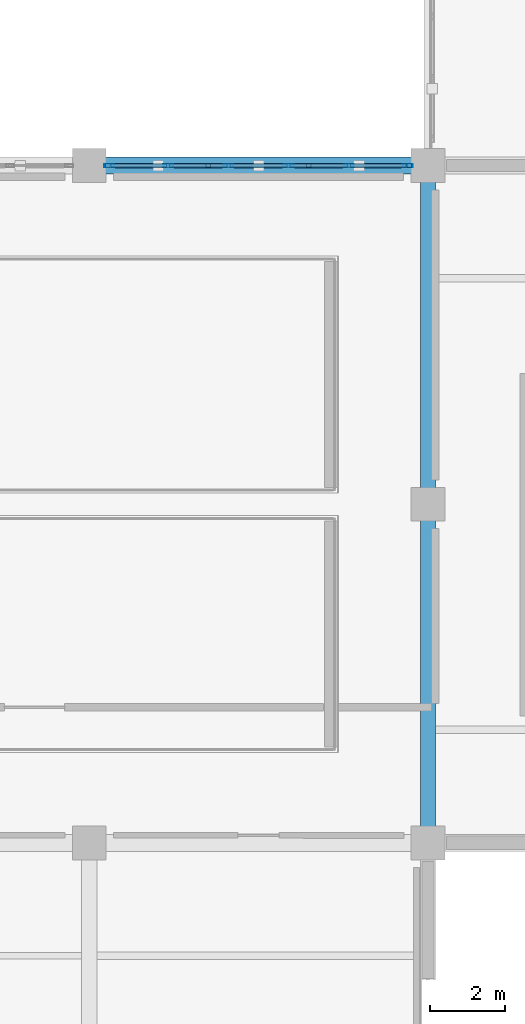
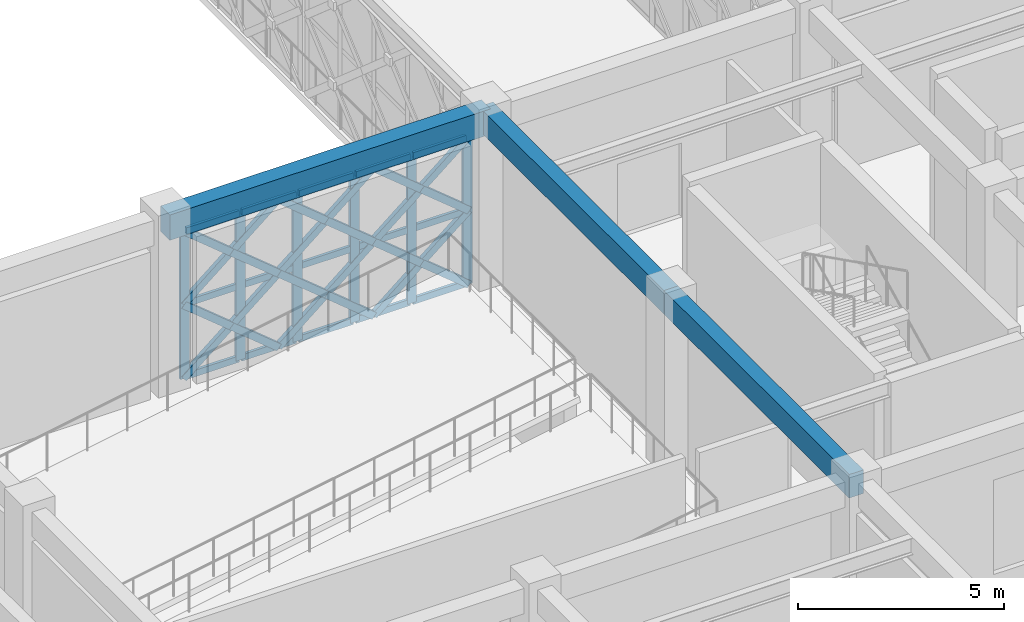
# One storey, part 99 of 166: 39 members, 3 beams, 1 element without a shape of its own.
"""IFC4 building model written with IfcOpenShell, lengths in metres."""

from ifc_helpers import new_model, si_unit, direction, frame, origin, origin_2d, place, context, subcontext, project, spatial, rectangle, hollow_rectangle, extrude, material, material_profile, profile_set, type_object, element, aggregate, save


model = new_model("IFC4")

# Units and contexts
model_context = context("Model", 3, precision=1e-05, world=origin(), true_north=direction((0.0, 1.0)))
body_context = subcontext(model_context, "Body", "Model", "MODEL_VIEW")
ifc_project = project(units=[si_unit("LENGTHUNIT", "METRE"), si_unit("AREAUNIT", "SQUARE_METRE"), si_unit("VOLUMEUNIT", "CUBIC_METRE"), si_unit("PLANEANGLEUNIT", "RADIAN"), si_unit("MASSUNIT", "GRAM", prefix="KILO")], contexts=[model_context])

# Site, building, storey
site_placement = place(None, origin())
site = spatial("IfcSite", under=ifc_project, at=site_placement, CompositionType="ELEMENT")
building_placement = place(site_placement, origin())
building = spatial("IfcBuilding", under=site, at=building_placement, Name="Haizhuo Lancet Aquarium", CompositionType="ELEMENT")
storey_placement = place(building_placement, frame((0.0, 0.0, 5.39990234375)))
storey = spatial("IfcBuildingStorey", under=building, at=storey_placement, Name="L01", CompositionType="ELEMENT", Elevation=5.39990234375)

# Beams
ifc_material_1 = material(Name="Concrete C40/50", Category="concrete")
ifc_material_profile_1 = material_profile(ifc_material_1, rectangle(XDim=0.39990234375, YDim=0.699951171875, at=origin_2d()), Name="RC-BM 400x700")
ifc_profile_set_1 = profile_set([ifc_material_profile_1], Name="Concrete C40/50")
beam_type_1 = type_object("IfcBeamType", Name="BM-RC-400x700", PredefinedType="BEAM", material=ifc_profile_set_1)
for number, where, z_axis, x_axis, name in (
    (1, (54.0, -27.0, 4.7900390625), (0.0, 1.0, 0.0), (-1.0, 0.0, 0.0), "L01 V3 primary girder BM-L01-V3-018"),
    (2, (54.0, -18.0, 4.7900390625), (0.0, 1.0, 0.0), (-1.0, 0.0, 0.0), "L01 V3 primary girder BM-L01-V3-020"),
):
    element("IfcBeam", number, at=place(storey_placement, frame(where, z_axis=z_axis, x_axis=x_axis)), inside=storey, type_object=beam_type_1, Name=name, PredefinedType="BEAM", context=body_context, shape_type="SweptSolid", body=[
        extrude(rectangle(XDim=0.39990234375, YDim=0.699951171875, at=origin_2d()), origin(), (0.0, 0.0, 1.0), 9.0),
    ])
ifc_material_profile_2 = material_profile(ifc_material_1, rectangle(XDim=0.449951171875, YDim=0.75, at=origin_2d()), Name="RC-BM 450x750")
ifc_profile_set_2 = profile_set([ifc_material_profile_2], Name="Concrete C40/50")
beam_type_2 = type_object("IfcBeamType", Name="BM-RC-450x750", PredefinedType="BEAM", material=ifc_profile_set_2)
beam_placement = place(storey_placement, frame((45.0, -9.0, 4.76513671875), z_axis=(1.0, 0.0, 0.0), x_axis=(0.0, 1.0, 0.0)))
element("IfcBeam", 3, at=beam_placement, inside=storey, type_object=beam_type_2, Name="L01 V3 primary girder BM-L01-V3-016", PredefinedType="BEAM", context=body_context, shape_type="SweptSolid", body=[
    extrude(rectangle(XDim=0.449951171875, YDim=0.75, at=origin_2d()), origin(), (0.0, 0.0, 1.0), 9.0),
])

# Curtain wall, members
ifc_material_2 = material(Name="Aluminium 6063-T6", Category="aluminium")
curtain_wall_type = type_object("IfcCurtainWallType", Name="CWO-8010x4390", PredefinedType="NOTDEFINED", material=ifc_material_2)
curtain_wall_placement = place(storey_placement, origin())
curtain_wall = element("IfcCurtainWall", 4, at=curtain_wall_placement, inside=storey, type_object=curtain_wall_type, Name="L01 curtain wall CW-V3-L01-039", PredefinedType="NOTDEFINED")
ifc_material_profile_3 = material_profile(ifc_material_2, hollow_rectangle(XDim=0.080078125, YDim=0.260009765625, WallThickness=0.0048828125, at=origin_2d()), Name="ALU-M 80x260x5")
ifc_profile_set_3 = profile_set([ifc_material_profile_3], Name="Aluminium 6063-T6")
member_type_1 = type_object("IfcMemberType", Name="CW-MUL-3", PredefinedType="MULLION", material=ifc_profile_set_3)
member_1_placement = place(storey_placement, frame((45.534912109375, -9.0, 0.0), z_axis=(0.0, 0.0, 1.0), x_axis=(0.0, 1.0, 0.0)))
member_1 = element("IfcMember", 5, at=member_1_placement, type_object=member_type_1, Name="CWO-80x43 mullion 1", PredefinedType="MULLION", context=body_context, shape_type="SweptSolid", body=[
    extrude(hollow_rectangle(XDim=0.080078125, YDim=0.260009765625, WallThickness=0.0048828125, at=origin_2d()), origin(), (0.0, 0.0, 1.0), 4.39013671875),
])
member_2_placement = place(storey_placement, frame((47.096923828125, -9.0, 0.0), z_axis=(0.0, 0.0, 1.0), x_axis=(0.0, 1.0, 0.0)))
member_2 = element("IfcMember", 6, at=member_2_placement, type_object=member_type_1, Name="CWO-80x43 mullion 2", PredefinedType="MULLION", context=body_context, shape_type="SweptSolid", body=[
    extrude(hollow_rectangle(XDim=0.080078125, YDim=0.260009765625, WallThickness=0.0048828125, at=origin_2d()), origin(), (0.0, 0.0, 1.0), 4.39013671875),
])
member_3_placement = place(storey_placement, frame((48.698974609375, -9.0, 0.0), z_axis=(0.0, 0.0, 1.0), x_axis=(0.0, 1.0, 0.0)))
member_3 = element("IfcMember", 7, at=member_3_placement, type_object=member_type_1, Name="CWO-80x43 mullion 3", PredefinedType="MULLION", context=body_context, shape_type="SweptSolid", body=[
    extrude(hollow_rectangle(XDim=0.080078125, YDim=0.260009765625, WallThickness=0.0048828125, at=origin_2d()), origin(), (0.0, 0.0, 1.0), 4.39013671875),
])
member_4_placement = place(storey_placement, frame((50.301025390625, -9.0, 0.0), z_axis=(0.0, 0.0, 1.0), x_axis=(0.0, 1.0, 0.0)))
member_4 = element("IfcMember", 8, at=member_4_placement, type_object=member_type_1, Name="CWO-80x43 mullion 4", PredefinedType="MULLION", context=body_context, shape_type="SweptSolid", body=[
    extrude(hollow_rectangle(XDim=0.080078125, YDim=0.260009765625, WallThickness=0.0048828125, at=origin_2d()), origin(), (0.0, 0.0, 1.0), 4.39013671875),
])
member_5_placement = place(storey_placement, frame((51.903076171875, -9.0, 0.0), z_axis=(0.0, 0.0, 1.0), x_axis=(0.0, 1.0, 0.0)))
member_5 = element("IfcMember", 9, at=member_5_placement, type_object=member_type_1, Name="CWO-80x43 mullion 5", PredefinedType="MULLION", context=body_context, shape_type="SweptSolid", body=[
    extrude(hollow_rectangle(XDim=0.080078125, YDim=0.260009765625, WallThickness=0.0048828125, at=origin_2d()), origin(), (0.0, 0.0, 1.0), 4.39013671875),
])
member_6_placement = place(storey_placement, frame((53.465087890625, -9.0, 0.0), z_axis=(0.0, 0.0, 1.0), x_axis=(0.0, 1.0, 0.0)))
member_6 = element("IfcMember", 10, at=member_6_placement, type_object=member_type_1, Name="CWO-80x43 mullion 6", PredefinedType="MULLION", context=body_context, shape_type="SweptSolid", body=[
    extrude(hollow_rectangle(XDim=0.080078125, YDim=0.260009765625, WallThickness=0.0048828125, at=origin_2d()), origin(), (0.0, 0.0, 1.0), 4.39013671875),
])
ifc_material_profile_4 = material_profile(ifc_material_2, hollow_rectangle(XDim=0.080078125, YDim=0.18994140625, WallThickness=0.0048828125, at=origin_2d()), Name="ALU-T 80x190x5")
ifc_profile_set_4 = profile_set([ifc_material_profile_4], Name="Aluminium 6063-T6")
member_type_2 = type_object("IfcMemberType", Name="CW-TRN-3", PredefinedType="NOTDEFINED", material=ifc_profile_set_4)
member_7_placement = place(storey_placement, frame((45.574951171875, -9.0, 0.0400390625), z_axis=(1.0, 0.0, 0.0), x_axis=(0.0, 1.0, 0.0)))
member_7 = element("IfcMember", 11, at=member_7_placement, type_object=member_type_2, Name="CWO-80x43 transom 1.1", ObjectType="TRANSOM", PredefinedType="USERDEFINED", context=body_context, shape_type="SweptSolid", body=[
    extrude(hollow_rectangle(XDim=0.080078125, YDim=0.18994140625, WallThickness=0.0048828125, at=origin_2d()), origin(), (0.0, 0.0, 1.0), 1.48193359375),
])
member_8_placement = place(storey_placement, frame((45.574951171875, -9.0, 2.195068359375), z_axis=(1.0, 0.0, 0.0), x_axis=(0.0, 1.0, 0.0)))
member_8 = element("IfcMember", 12, at=member_8_placement, type_object=member_type_2, Name="CWO-80x43 transom 1.2", ObjectType="TRANSOM", PredefinedType="USERDEFINED", context=body_context, shape_type="SweptSolid", body=[
    extrude(hollow_rectangle(XDim=0.080078125, YDim=0.18994140625, WallThickness=0.0048828125, at=origin_2d()), origin(), (0.0, 0.0, 1.0), 1.48193359375),
])
member_9_placement = place(storey_placement, frame((45.574951171875, -9.0, 4.35009765625), z_axis=(1.0, 0.0, 0.0), x_axis=(0.0, 1.0, 0.0)))
member_9 = element("IfcMember", 13, at=member_9_placement, type_object=member_type_2, Name="CWO-80x43 transom 1.3", ObjectType="TRANSOM", PredefinedType="USERDEFINED", context=body_context, shape_type="SweptSolid", body=[
    extrude(hollow_rectangle(XDim=0.080078125, YDim=0.18994140625, WallThickness=0.0048828125, at=origin_2d()), origin(), (0.0, 0.0, 1.0), 1.48193359375),
])
member_10_placement = place(storey_placement, frame((47.136962890625, -9.0, 0.0400390625), z_axis=(1.0, 0.0, 0.0), x_axis=(0.0, 1.0, 0.0)))
member_10 = element("IfcMember", 14, at=member_10_placement, type_object=member_type_2, Name="CWO-80x43 transom 2.1", ObjectType="TRANSOM", PredefinedType="USERDEFINED", context=body_context, shape_type="SweptSolid", body=[
    extrude(hollow_rectangle(XDim=0.080078125, YDim=0.18994140625, WallThickness=0.0048828125, at=origin_2d()), origin(), (0.0, 0.0, 1.0), 1.52197265625),
])
member_11_placement = place(storey_placement, frame((47.136962890625, -9.0, 2.195068359375), z_axis=(1.0, 0.0, 0.0), x_axis=(0.0, 1.0, 0.0)))
member_11 = element("IfcMember", 15, at=member_11_placement, type_object=member_type_2, Name="CWO-80x43 transom 2.2", ObjectType="TRANSOM", PredefinedType="USERDEFINED", context=body_context, shape_type="SweptSolid", body=[
    extrude(hollow_rectangle(XDim=0.080078125, YDim=0.18994140625, WallThickness=0.0048828125, at=origin_2d()), origin(), (0.0, 0.0, 1.0), 1.52197265625),
])
member_12_placement = place(storey_placement, frame((47.136962890625, -9.0, 4.35009765625), z_axis=(1.0, 0.0, 0.0), x_axis=(0.0, 1.0, 0.0)))
member_12 = element("IfcMember", 16, at=member_12_placement, type_object=member_type_2, Name="CWO-80x43 transom 2.3", ObjectType="TRANSOM", PredefinedType="USERDEFINED", context=body_context, shape_type="SweptSolid", body=[
    extrude(hollow_rectangle(XDim=0.080078125, YDim=0.18994140625, WallThickness=0.0048828125, at=origin_2d()), origin(), (0.0, 0.0, 1.0), 1.52197265625),
])
member_13_placement = place(storey_placement, frame((48.739013671875, -9.0, 0.0400390625), z_axis=(1.0, 0.0, 0.0), x_axis=(0.0, 1.0, 0.0)))
member_13 = element("IfcMember", 17, at=member_13_placement, type_object=member_type_2, Name="CWO-80x43 transom 3.1", ObjectType="TRANSOM", PredefinedType="USERDEFINED", context=body_context, shape_type="SweptSolid", body=[
    extrude(hollow_rectangle(XDim=0.080078125, YDim=0.18994140625, WallThickness=0.0048828125, at=origin_2d()), origin(), (0.0, 0.0, 1.0), 1.52197265625),
])
member_14_placement = place(storey_placement, frame((48.739013671875, -9.0, 2.195068359375), z_axis=(1.0, 0.0, 0.0), x_axis=(0.0, 1.0, 0.0)))
member_14 = element("IfcMember", 18, at=member_14_placement, type_object=member_type_2, Name="CWO-80x43 transom 3.2", ObjectType="TRANSOM", PredefinedType="USERDEFINED", context=body_context, shape_type="SweptSolid", body=[
    extrude(hollow_rectangle(XDim=0.080078125, YDim=0.18994140625, WallThickness=0.0048828125, at=origin_2d()), origin(), (0.0, 0.0, 1.0), 1.52197265625),
])
member_15_placement = place(storey_placement, frame((48.739013671875, -9.0, 4.35009765625), z_axis=(1.0, 0.0, 0.0), x_axis=(0.0, 1.0, 0.0)))
member_15 = element("IfcMember", 19, at=member_15_placement, type_object=member_type_2, Name="CWO-80x43 transom 3.3", ObjectType="TRANSOM", PredefinedType="USERDEFINED", context=body_context, shape_type="SweptSolid", body=[
    extrude(hollow_rectangle(XDim=0.080078125, YDim=0.18994140625, WallThickness=0.0048828125, at=origin_2d()), origin(), (0.0, 0.0, 1.0), 1.52197265625),
])
member_16_placement = place(storey_placement, frame((50.341064453125, -9.0, 0.0400390625), z_axis=(1.0, 0.0, 0.0), x_axis=(0.0, 1.0, 0.0)))
member_16 = element("IfcMember", 20, at=member_16_placement, type_object=member_type_2, Name="CWO-80x43 transom 4.1", ObjectType="TRANSOM", PredefinedType="USERDEFINED", context=body_context, shape_type="SweptSolid", body=[
    extrude(hollow_rectangle(XDim=0.080078125, YDim=0.18994140625, WallThickness=0.0048828125, at=origin_2d()), origin(), (0.0, 0.0, 1.0), 1.52197265625),
])
member_17_placement = place(storey_placement, frame((50.341064453125, -9.0, 2.195068359375), z_axis=(1.0, 0.0, 0.0), x_axis=(0.0, 1.0, 0.0)))
member_17 = element("IfcMember", 21, at=member_17_placement, type_object=member_type_2, Name="CWO-80x43 transom 4.2", ObjectType="TRANSOM", PredefinedType="USERDEFINED", context=body_context, shape_type="SweptSolid", body=[
    extrude(hollow_rectangle(XDim=0.080078125, YDim=0.18994140625, WallThickness=0.0048828125, at=origin_2d()), origin(), (0.0, 0.0, 1.0), 1.52197265625),
])
member_18_placement = place(storey_placement, frame((50.341064453125, -9.0, 4.35009765625), z_axis=(1.0, 0.0, 0.0), x_axis=(0.0, 1.0, 0.0)))
member_18 = element("IfcMember", 22, at=member_18_placement, type_object=member_type_2, Name="CWO-80x43 transom 4.3", ObjectType="TRANSOM", PredefinedType="USERDEFINED", context=body_context, shape_type="SweptSolid", body=[
    extrude(hollow_rectangle(XDim=0.080078125, YDim=0.18994140625, WallThickness=0.0048828125, at=origin_2d()), origin(), (0.0, 0.0, 1.0), 1.52197265625),
])
member_19_placement = place(storey_placement, frame((51.943115234375, -9.0, 0.0400390625), z_axis=(1.0, 0.0, 0.0), x_axis=(0.0, 1.0, 0.0)))
member_19 = element("IfcMember", 23, at=member_19_placement, type_object=member_type_2, Name="CWO-80x43 transom 5.1", ObjectType="TRANSOM", PredefinedType="USERDEFINED", context=body_context, shape_type="SweptSolid", body=[
    extrude(hollow_rectangle(XDim=0.080078125, YDim=0.18994140625, WallThickness=0.0048828125, at=origin_2d()), origin(), (0.0, 0.0, 1.0), 1.48193359375),
])
member_20_placement = place(storey_placement, frame((51.943115234375, -9.0, 2.195068359375), z_axis=(1.0, 0.0, 0.0), x_axis=(0.0, 1.0, 0.0)))
member_20 = element("IfcMember", 24, at=member_20_placement, type_object=member_type_2, Name="CWO-80x43 transom 5.2", ObjectType="TRANSOM", PredefinedType="USERDEFINED", context=body_context, shape_type="SweptSolid", body=[
    extrude(hollow_rectangle(XDim=0.080078125, YDim=0.18994140625, WallThickness=0.0048828125, at=origin_2d()), origin(), (0.0, 0.0, 1.0), 1.48193359375),
])
member_21_placement = place(storey_placement, frame((51.943115234375, -9.0, 4.35009765625), z_axis=(1.0, 0.0, 0.0), x_axis=(0.0, 1.0, 0.0)))
member_21 = element("IfcMember", 25, at=member_21_placement, type_object=member_type_2, Name="CWO-80x43 transom 5.3", ObjectType="TRANSOM", PredefinedType="USERDEFINED", context=body_context, shape_type="SweptSolid", body=[
    extrude(hollow_rectangle(XDim=0.080078125, YDim=0.18994140625, WallThickness=0.0048828125, at=origin_2d()), origin(), (0.0, 0.0, 1.0), 1.48193359375),
])
aggregate(curtain_wall, [member_1, member_2, member_3, member_4, member_5, member_6, member_7, member_8, member_9, member_10, member_11, member_12, member_13, member_14, member_15, member_16, member_17, member_18, member_19, member_20, member_21])

# Members
ifc_material_3 = material(Name="Steel S355", Category="steel")
ifc_material_profile_5 = material_profile(ifc_material_3, hollow_rectangle(XDim=0.1201171875, YDim=0.199951171875, WallThickness=0.008056640625, at=origin_2d()), Name="RHS 120x200x8")
ifc_profile_set_5 = profile_set([ifc_material_profile_5], Name="Steel S355")
member_type_3 = type_object("IfcMemberType", Name="MEM-LB-RHS120x200", PredefinedType="BRACE", material=ifc_profile_set_5)
member_22_placement = place(storey_placement, frame((45.4951171875, -9.0, 0.0), z_axis=(0.772453976084, 0.0, 0.635070747895), x_axis=(0.0, 1.0, 0.0)))
element("IfcMember", 26, at=member_22_placement, inside=storey, type_object=member_type_3, Name="Gothic lancet continuous diagonal brace CW-V3-L01-039 1A", PredefinedType="BRACE", context=body_context, shape_type="SweptSolid", body=[
    extrude(hollow_rectangle(XDim=0.1201171875, YDim=0.199951171875, WallThickness=0.008056640625, at=origin_2d()), origin(), (0.0, 0.0, 1.0), 3.456298828125),
])
member_23_placement = place(storey_placement, frame((48.1650390625, -9.0, 0.0), z_axis=(-0.772280733977, 0.0, 0.635281408454), x_axis=(0.0, -1.0, 0.0)))
element("IfcMember", 27, at=member_23_placement, inside=storey, type_object=member_type_3, Name="Gothic lancet split diagonal brace CW-V3-L01-039 1B1", PredefinedType="BRACE", context=body_context, shape_type="SweptSolid", body=[
    extrude(hollow_rectangle(XDim=0.1201171875, YDim=0.199951171875, WallThickness=0.008056640625, at=origin_2d()), origin(), (0.0, 0.0, 1.0), 1.728515625),
])
member_24_placement = place(storey_placement, frame((46.830078125, -9.0, 1.09814453125), z_axis=(-0.772627238419, 0.0, 0.634859945541), x_axis=(0.0, -1.0, 0.0)))
element("IfcMember", 28, at=member_24_placement, inside=storey, type_object=member_type_3, Name="Gothic lancet split diagonal brace CW-V3-L01-039 1B2", PredefinedType="BRACE", context=body_context, shape_type="SweptSolid", body=[
    extrude(hollow_rectangle(XDim=0.1201171875, YDim=0.199951171875, WallThickness=0.008056640625, at=origin_2d()), origin(), (0.0, 0.0, 1.0), 1.727783203125),
])
member_25_placement = place(storey_placement, frame((45.4951171875, -9.0, 2.195068359375), z_axis=(0.772453976084, 0.0, 0.635070747895), x_axis=(0.0, 1.0, 0.0)))
element("IfcMember", 29, at=member_25_placement, inside=storey, type_object=member_type_3, Name="Gothic lancet continuous diagonal brace CW-V3-L01-039 2A", PredefinedType="BRACE", context=body_context, shape_type="SweptSolid", body=[
    extrude(hollow_rectangle(XDim=0.1201171875, YDim=0.199951171875, WallThickness=0.008056640625, at=origin_2d()), origin(), (0.0, 0.0, 1.0), 3.456298828125),
])
member_26_placement = place(storey_placement, frame((48.1650390625, -9.0, 2.195068359375), z_axis=(-0.772627238419, 0.0, 0.634859945541), x_axis=(0.0, -1.0, 0.0)))
element("IfcMember", 30, at=member_26_placement, inside=storey, type_object=member_type_3, Name="Gothic lancet split diagonal brace CW-V3-L01-039 2B1", PredefinedType="BRACE", context=body_context, shape_type="SweptSolid", body=[
    extrude(hollow_rectangle(XDim=0.1201171875, YDim=0.199951171875, WallThickness=0.008056640625, at=origin_2d()), origin(), (0.0, 0.0, 1.0), 1.727783203125),
])
member_27_placement = place(storey_placement, frame((46.830078125, -9.0, 3.2919921875), z_axis=(-0.772280733977, 0.0, 0.635281408454), x_axis=(0.0, -1.0, 0.0)))
element("IfcMember", 31, at=member_27_placement, inside=storey, type_object=member_type_3, Name="Gothic lancet split diagonal brace CW-V3-L01-039 2B2", PredefinedType="BRACE", context=body_context, shape_type="SweptSolid", body=[
    extrude(hollow_rectangle(XDim=0.1201171875, YDim=0.199951171875, WallThickness=0.008056640625, at=origin_2d()), origin(), (0.0, 0.0, 1.0), 1.728515625),
])
member_28_placement = place(storey_placement, frame((48.1650390625, -9.0, 0.0), z_axis=(0.772453976084, 0.0, 0.635070747895), x_axis=(0.0, 1.0, 0.0)))
element("IfcMember", 32, at=member_28_placement, inside=storey, type_object=member_type_3, Name="Gothic lancet continuous diagonal brace CW-V3-L01-039 3A", PredefinedType="BRACE", context=body_context, shape_type="SweptSolid", body=[
    extrude(hollow_rectangle(XDim=0.1201171875, YDim=0.199951171875, WallThickness=0.008056640625, at=origin_2d()), origin(), (0.0, 0.0, 1.0), 3.456298828125),
])
member_29_placement = place(storey_placement, frame((50.8349609375, -9.0, 0.0), z_axis=(-0.772280733977, 0.0, 0.635281408454), x_axis=(0.0, -1.0, 0.0)))
element("IfcMember", 33, at=member_29_placement, inside=storey, type_object=member_type_3, Name="Gothic lancet split diagonal brace CW-V3-L01-039 3B1", PredefinedType="BRACE", context=body_context, shape_type="SweptSolid", body=[
    extrude(hollow_rectangle(XDim=0.1201171875, YDim=0.199951171875, WallThickness=0.008056640625, at=origin_2d()), origin(), (0.0, 0.0, 1.0), 1.728515625),
])
member_30_placement = place(storey_placement, frame((49.5, -9.0, 1.09814453125), z_axis=(-0.772627238419, 0.0, 0.634859945541), x_axis=(0.0, -1.0, 0.0)))
element("IfcMember", 34, at=member_30_placement, inside=storey, type_object=member_type_3, Name="Gothic lancet split diagonal brace CW-V3-L01-039 3B2", PredefinedType="BRACE", context=body_context, shape_type="SweptSolid", body=[
    extrude(hollow_rectangle(XDim=0.1201171875, YDim=0.199951171875, WallThickness=0.008056640625, at=origin_2d()), origin(), (0.0, 0.0, 1.0), 1.727783203125),
])
member_31_placement = place(storey_placement, frame((48.1650390625, -9.0, 2.195068359375), z_axis=(0.772453976084, 0.0, 0.635070747895), x_axis=(0.0, 1.0, 0.0)))
element("IfcMember", 35, at=member_31_placement, inside=storey, type_object=member_type_3, Name="Gothic lancet continuous diagonal brace CW-V3-L01-039 4A", PredefinedType="BRACE", context=body_context, shape_type="SweptSolid", body=[
    extrude(hollow_rectangle(XDim=0.1201171875, YDim=0.199951171875, WallThickness=0.008056640625, at=origin_2d()), origin(), (0.0, 0.0, 1.0), 3.456298828125),
])
member_32_placement = place(storey_placement, frame((50.8349609375, -9.0, 2.195068359375), z_axis=(-0.772627238419, 0.0, 0.634859945541), x_axis=(0.0, -1.0, 0.0)))
element("IfcMember", 36, at=member_32_placement, inside=storey, type_object=member_type_3, Name="Gothic lancet split diagonal brace CW-V3-L01-039 4B1", PredefinedType="BRACE", context=body_context, shape_type="SweptSolid", body=[
    extrude(hollow_rectangle(XDim=0.1201171875, YDim=0.199951171875, WallThickness=0.008056640625, at=origin_2d()), origin(), (0.0, 0.0, 1.0), 1.727783203125),
])
member_33_placement = place(storey_placement, frame((49.5, -9.0, 3.2919921875), z_axis=(-0.772280733977, 0.0, 0.635281408454), x_axis=(0.0, -1.0, 0.0)))
element("IfcMember", 37, at=member_33_placement, inside=storey, type_object=member_type_3, Name="Gothic lancet split diagonal brace CW-V3-L01-039 4B2", PredefinedType="BRACE", context=body_context, shape_type="SweptSolid", body=[
    extrude(hollow_rectangle(XDim=0.1201171875, YDim=0.199951171875, WallThickness=0.008056640625, at=origin_2d()), origin(), (0.0, 0.0, 1.0), 1.728515625),
])
member_34_placement = place(storey_placement, frame((50.8349609375, -9.0, 0.0), z_axis=(0.772453976084, 0.0, 0.635070747895), x_axis=(0.0, 1.0, 0.0)))
element("IfcMember", 38, at=member_34_placement, inside=storey, type_object=member_type_3, Name="Gothic lancet continuous diagonal brace CW-V3-L01-039 5A", PredefinedType="BRACE", context=body_context, shape_type="SweptSolid", body=[
    extrude(hollow_rectangle(XDim=0.1201171875, YDim=0.199951171875, WallThickness=0.008056640625, at=origin_2d()), origin(), (0.0, 0.0, 1.0), 3.456298828125),
])
member_35_placement = place(storey_placement, frame((53.5048828125, -9.0, 0.0), z_axis=(-0.772280733977, 0.0, 0.635281408454), x_axis=(0.0, -1.0, 0.0)))
element("IfcMember", 39, at=member_35_placement, inside=storey, type_object=member_type_3, Name="Gothic lancet split diagonal brace CW-V3-L01-039 5B1", PredefinedType="BRACE", context=body_context, shape_type="SweptSolid", body=[
    extrude(hollow_rectangle(XDim=0.1201171875, YDim=0.199951171875, WallThickness=0.008056640625, at=origin_2d()), origin(), (0.0, 0.0, 1.0), 1.728515625),
])
member_36_placement = place(storey_placement, frame((52.169921875, -9.0, 1.09814453125), z_axis=(-0.772627238419, 0.0, 0.634859945541), x_axis=(0.0, -1.0, 0.0)))
element("IfcMember", 40, at=member_36_placement, inside=storey, type_object=member_type_3, Name="Gothic lancet split diagonal brace CW-V3-L01-039 5B2", PredefinedType="BRACE", context=body_context, shape_type="SweptSolid", body=[
    extrude(hollow_rectangle(XDim=0.1201171875, YDim=0.199951171875, WallThickness=0.008056640625, at=origin_2d()), origin(), (0.0, 0.0, 1.0), 1.727783203125),
])
member_37_placement = place(storey_placement, frame((50.8349609375, -9.0, 2.195068359375), z_axis=(0.772453976084, 0.0, 0.635070747895), x_axis=(0.0, 1.0, 0.0)))
element("IfcMember", 41, at=member_37_placement, inside=storey, type_object=member_type_3, Name="Gothic lancet continuous diagonal brace CW-V3-L01-039 6A", PredefinedType="BRACE", context=body_context, shape_type="SweptSolid", body=[
    extrude(hollow_rectangle(XDim=0.1201171875, YDim=0.199951171875, WallThickness=0.008056640625, at=origin_2d()), origin(), (0.0, 0.0, 1.0), 3.456298828125),
])
member_38_placement = place(storey_placement, frame((53.5048828125, -9.0, 2.195068359375), z_axis=(-0.772627238419, 0.0, 0.634859945541), x_axis=(0.0, -1.0, 0.0)))
element("IfcMember", 42, at=member_38_placement, inside=storey, type_object=member_type_3, Name="Gothic lancet split diagonal brace CW-V3-L01-039 6B1", PredefinedType="BRACE", context=body_context, shape_type="SweptSolid", body=[
    extrude(hollow_rectangle(XDim=0.1201171875, YDim=0.199951171875, WallThickness=0.008056640625, at=origin_2d()), origin(), (0.0, 0.0, 1.0), 1.727783203125),
])
member_39_placement = place(storey_placement, frame((52.169921875, -9.0, 3.2919921875), z_axis=(-0.772280733977, 0.0, 0.635281408454), x_axis=(0.0, -1.0, 0.0)))
element("IfcMember", 43, at=member_39_placement, inside=storey, type_object=member_type_3, Name="Gothic lancet split diagonal brace CW-V3-L01-039 6B2", PredefinedType="BRACE", context=body_context, shape_type="SweptSolid", body=[
    extrude(hollow_rectangle(XDim=0.1201171875, YDim=0.199951171875, WallThickness=0.008056640625, at=origin_2d()), origin(), (0.0, 0.0, 1.0), 1.728515625),
])

save(model, "model.ifc")
